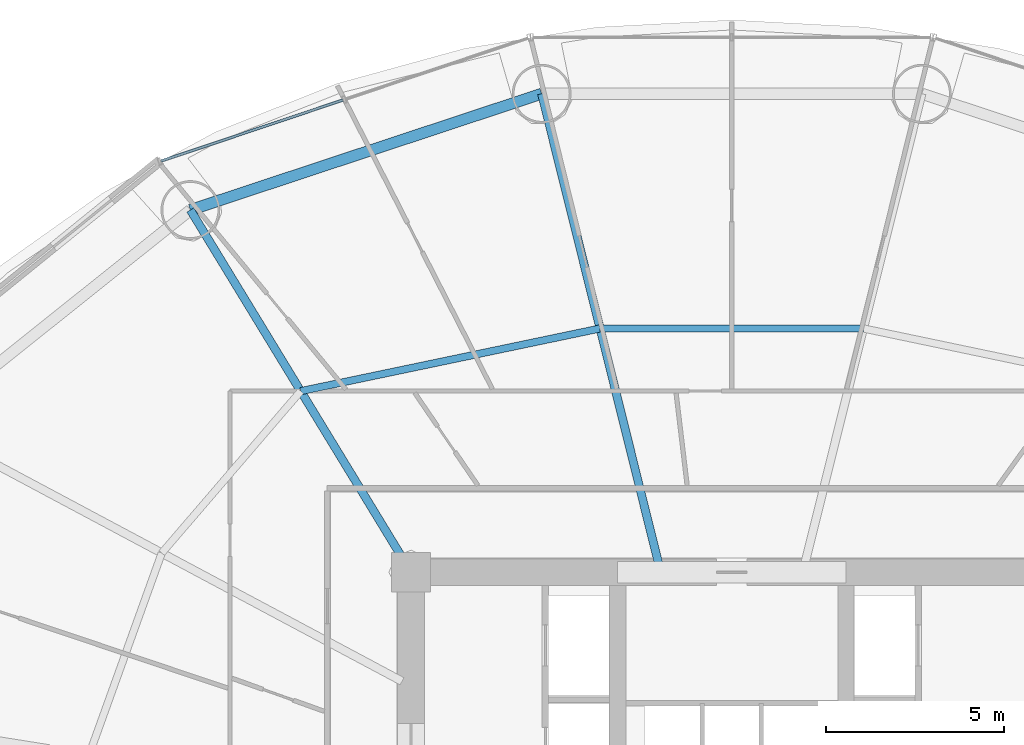
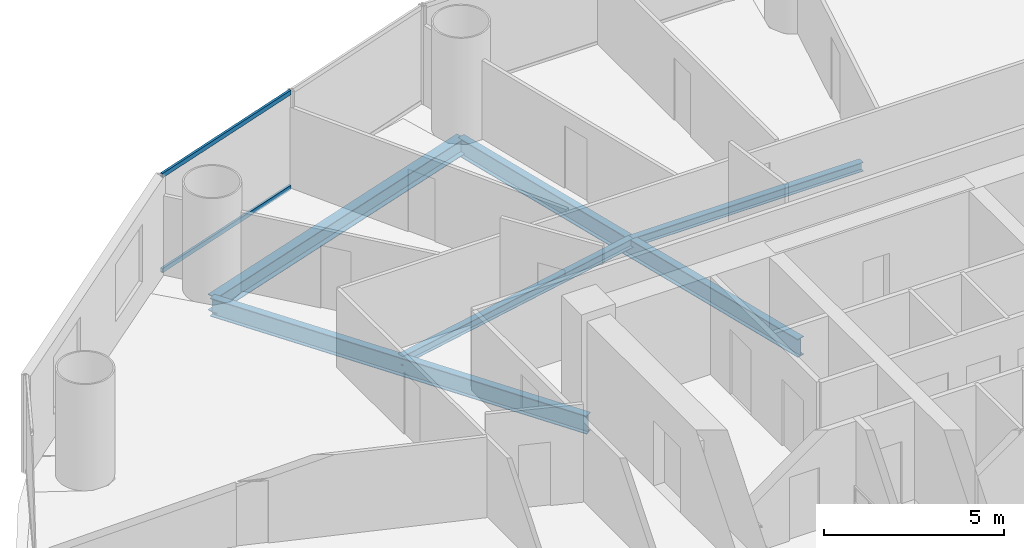
# One storey, part 17 of 30: 5 beams, 2 members, 1 element without a shape of its own.
"""IFC4 building model written with IfcOpenShell, lengths in metres."""

from ifc_helpers import new_model, si_unit, direction, frame, origin, origin_2d, place, context, subcontext, project, spatial, hollow_rectangle, i_section, extrude, source, transform, mapped, material, material_profile, profile_set, type_object, element, aggregate, save


model = new_model("IFC4")

# Units and contexts
model_context = context("Model", 3, precision=1e-05, world=origin(), true_north=direction((-0.2419218956, 0.970295726276)))
body_context = subcontext(model_context, "Body", "Model", "MODEL_VIEW")
ifc_project = project(units=[si_unit("LENGTHUNIT", "METRE"), si_unit("AREAUNIT", "SQUARE_METRE"), si_unit("VOLUMEUNIT", "CUBIC_METRE"), si_unit("PLANEANGLEUNIT", "RADIAN"), si_unit("MASSUNIT", "GRAM", prefix="KILO")], contexts=[model_context])

# Site, building, storey
site_placement = place(None, origin())
site = spatial("IfcSite", under=ifc_project, at=site_placement, CompositionType="ELEMENT")
building_placement = place(site_placement, origin())
building = spatial("IfcBuilding", under=site, at=building_placement, Name="Cobrevalo Terracotta Tower", CompositionType="ELEMENT")
storey_placement = place(building_placement, frame((0.0, 0.0, 56.39990234375)))
storey = spatial("IfcBuildingStorey", under=building, at=storey_placement, Name="L14", CompositionType="ELEMENT", Elevation=56.39990234375)

# Beams
ifc_material_1 = material(Name="Steel S355", Category="steel")
ifc_material_profile_1 = material_profile(ifc_material_1, i_section(OverallWidth=0.22998046875, OverallDepth=0.616943359375, WebThickness=0.01318359375, FlangeThickness=0.022216796875, at=origin_2d()), Name="W 610x140")
ifc_profile_set_1 = profile_set([ifc_material_profile_1], Name="Steel S355")
beam_type_1 = type_object("IfcBeamType", Name="Structural Beam W 610x140 (Steel S355)", PredefinedType="BEAM", material=ifc_profile_set_1)
beam_1_placement = place(storey_placement, frame((32.664306640625, 48.230224609375, -0.58837890625), z_axis=(0.241596254786, -0.970376859614, 0.0), x_axis=(0.970376859614, 0.241596254786, 0.0)))
element("IfcBeam", 1, at=beam_1_placement, inside=storey, type_object=beam_type_1, Name="L14 radial floor girder 05", PredefinedType="BEAM", context=body_context, shape_type="SweptSolid", body=[
    extrude(i_section(OverallWidth=0.22998046875, OverallDepth=0.616943359375, WebThickness=0.01318359375, FlangeThickness=0.022216796875, at=origin_2d()), origin(), (0.0, 0.0, 1.0), 13.577392578125),
])
beam_2_placement = place(storey_placement, frame((22.80517578125, 44.967529296875, -0.58837890625), z_axis=(0.520309892051, -0.853977526773, 0.0), x_axis=(0.853977526773, 0.520309892051, 0.0)))
element("IfcBeam", 2, at=beam_2_placement, inside=storey, type_object=beam_type_1, Name="L14 radial floor girder 06", PredefinedType="BEAM", context=body_context, shape_type="SweptSolid", body=[
    extrude(i_section(OverallWidth=0.22998046875, OverallDepth=0.616943359375, WebThickness=0.01318359375, FlangeThickness=0.022216796875, at=origin_2d()), origin(), (0.0, 0.0, 1.0), 11.906005859375),
])
ifc_material_profile_2 = material_profile(ifc_material_1, i_section(OverallWidth=0.2041015625, OverallDepth=0.305908203125, WebThickness=0.008544921875, FlangeThickness=0.0146484375, at=origin_2d()), Name="W 310x67")
ifc_profile_set_2 = profile_set([ifc_material_profile_2], Name="Steel S355")
beam_type_2 = type_object("IfcBeamType", Name="Structural Joist W 310x67 (Steel S355)", PredefinedType="JOIST", material=ifc_profile_set_2)
beam_3_placement = place(storey_placement, frame((41.695556640625, 41.642578125, -0.432861328125), z_axis=(-1.0, 0.0, 0.0), x_axis=(0.0, -1.0, 0.0)))
element("IfcBeam", 3, at=beam_3_placement, inside=storey, type_object=beam_type_2, Name="L14 circumferential secondary floor joist 04", PredefinedType="JOIST", context=body_context, shape_type="SweptSolid", body=[
    extrude(i_section(OverallWidth=0.2041015625, OverallDepth=0.305908203125, WebThickness=0.008544921875, FlangeThickness=0.0146484375, at=origin_2d()), origin(), (0.0, 0.0, 1.0), 7.39111328125),
])
beam_4_placement = place(storey_placement, frame((34.304443359375, 41.642578125, -0.432861328125), z_axis=(-0.978784523904, -0.204892302848, 0.0), x_axis=(0.204892302848, -0.978784523904, 0.0)))
element("IfcBeam", 4, at=beam_4_placement, inside=storey, type_object=beam_type_2, Name="L14 circumferential secondary floor joist 05", PredefinedType="JOIST", context=body_context, shape_type="SweptSolid", body=[
    extrude(i_section(OverallWidth=0.2041015625, OverallDepth=0.305908203125, WebThickness=0.008544921875, FlangeThickness=0.0146484375, at=origin_2d()), origin(), (0.0, 0.0, 1.0), 8.583984375),
])
ifc_material_profile_3 = material_profile(ifc_material_1, i_section(OverallWidth=0.31201171875, OverallDepth=0.54296875, WebThickness=0.0126953125, FlangeThickness=0.020263671875, at=origin_2d()), Name="W 530x150")
ifc_profile_set_3 = profile_set([ifc_material_profile_3], Name="Steel S355")
beam_type_3 = type_object("IfcBeamType", Name="Structural Spandrel W 530x150 (Steel S355)", PredefinedType="SPANDREL", material=ifc_profile_set_3)
beam_5_placement = place(storey_placement, frame((32.664306640625, 48.230224609375, -0.551513671875), z_axis=(-0.949365190876, -0.314174687638, 0.0), x_axis=(0.314174687638, -0.949365190876, 0.0)))
element("IfcBeam", 5, at=beam_5_placement, inside=storey, type_object=beam_type_3, Name="L14 perimeter ring spandrel 05", PredefinedType="SPANDREL", context=body_context, shape_type="SweptSolid", body=[
    extrude(i_section(OverallWidth=0.31201171875, OverallDepth=0.54296875, WebThickness=0.0126953125, FlangeThickness=0.020263671875, at=origin_2d()), origin(), (0.0, 0.0, 1.0), 10.385009765625),
])

# Curtain wall, members
ifc_material_2 = material(Name="Anodized aluminium", Category="aluminium")
curtain_wall_type = type_object("IfcCurtainWallType", Name="Lower-tower unitised acoustic low-E curtain wall CW-U1", PredefinedType="NOTDEFINED", material=ifc_material_2)
curtain_wall_placement = place(storey_placement, origin())
curtain_wall = element("IfcCurtainWall", 6, at=curtain_wall_placement, inside=storey, type_object=curtain_wall_type, Name="L14 curtain wall CW-L14-S05", PredefinedType="NOTDEFINED")
ifc_material_profile_4 = material_profile(ifc_material_2, hollow_rectangle(XDim=0.074951171875, YDim=0.14990234375, WallThickness=0.00439453125, at=origin_2d()), Name="CWT 75x150")
ifc_profile_set_4 = profile_set([ifc_material_profile_4], Name="Anodized aluminium")
member_type = type_object("IfcMemberType", Name="Tower unitised aluminium transom 75x150", PredefinedType="USERDEFINED", material=ifc_profile_set_4)
shared_shape = source(origin(), body_context, "Body", "SweptSolid", [
    extrude(hollow_rectangle(XDim=0.074951171875, YDim=0.14990234375, WallThickness=0.00439453125, at=origin_2d()), origin(), (0.0, 0.0, 1.0), 5.387939453125),
])
member_1_placement = place(storey_placement, frame((27.0888671875, 48.05419921875, 0.050048828125), z_axis=(-0.94804244582, -0.318143868278, 0.0), x_axis=(0.318143868278, -0.94804244582, 0.0)))
member_1 = element("IfcMember", 7, at=member_1_placement, type_object=member_type, Name="CW-L14-S05 transom B02-T1", ObjectType="TRANSOM", PredefinedType="USERDEFINED", context=body_context, shape_type="MappedRepresentation", body=[
    mapped(shared_shape, transform((0.0, 0.0, 0.0), scale=1.0)),
])
member_2_placement = place(storey_placement, frame((27.0888671875, 48.05419921875, 3.27001953125), z_axis=(-0.94804244582, -0.318143868278, 0.0), x_axis=(0.318143868278, -0.94804244582, 0.0)))
member_2 = element("IfcMember", 8, at=member_2_placement, type_object=member_type, Name="CW-L14-S05 transom B02-T2", ObjectType="TRANSOM", PredefinedType="USERDEFINED", context=body_context, shape_type="MappedRepresentation", body=[
    mapped(shared_shape, transform((0.0, 0.0, 0.0), scale=1.0)),
])
aggregate(curtain_wall, [member_1, member_2])

save(model, "model.ifc")
